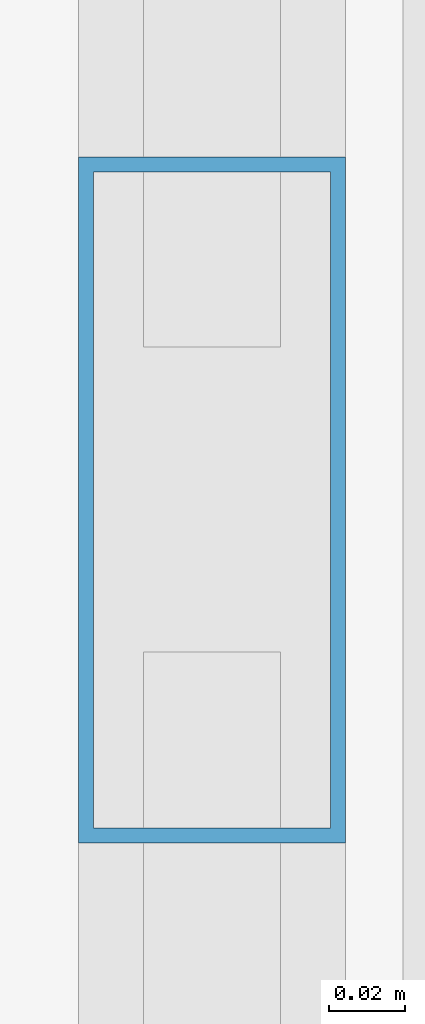
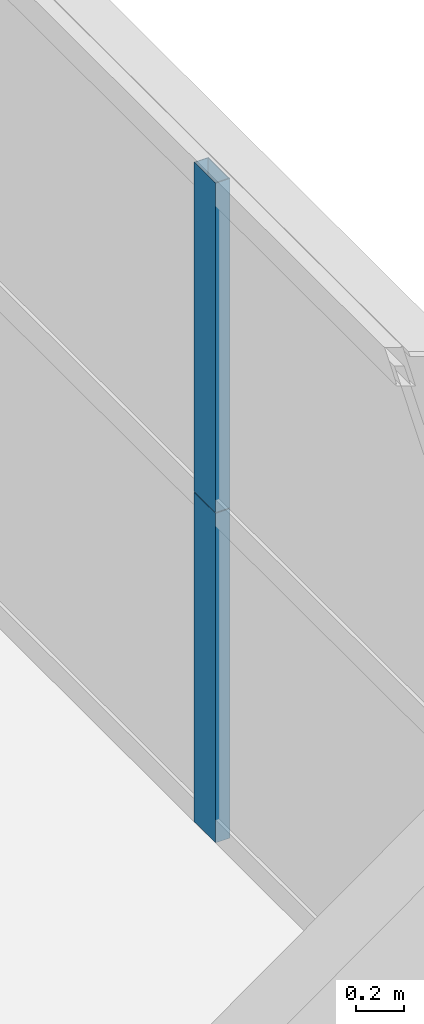
# One storey, part 31 of 43: 2 members, 1 element without a shape of its own.
"""IFC4 building model written with IfcOpenShell, lengths in metres."""

import ifcopenshell
import ifcopenshell.guid

model = None  # the IFC model being written
_history = None  # IfcOwnerHistory: only IFC2X3 demands one
_inside = {}  # id of a spatial element -> (the spatial element, [elements in it])
_under = {}  # id of a project, library or spatial element -> (it, [spatial elements below it])
_declared = {}  # id of a project -> (the project, [libraries it declares])
_typed = {}  # id of a type object -> (the type object, [elements of that type])
_made_of = {}  # id of a material, layer set ... -> (it, [elements and type objects made of it])


def new_model(schema):
    """Start an empty IFC model of exactly this schema.

    Asked for "IFC4X3", IfcOpenShell would pick the latest addendum, in which some entities
    have other attributes; the version numbers below select the first issue.
    IFC2X3 requires an IfcOwnerHistory on every rooted entity: one is made here for all.
    """
    global model, _history
    if schema == "IFC4X3":
        model = ifcopenshell.file(schema_version=(4, 3, 0, 0))
    else:
        model = ifcopenshell.file(schema=schema)
    _inside.clear()
    _under.clear()
    _declared.clear()
    _typed.clear()
    _made_of.clear()
    _history = None
    if model.schema == "IFC2X3":
        org = make("IfcOrganization", Name="unknown")
        user = make(
            "IfcPersonAndOrganization",
            ThePerson=make("IfcPerson", FamilyName="unknown"),
            TheOrganization=org,
        )
        app = make(
            "IfcApplication",
            ApplicationDeveloper=org,
            Version="unknown",
            ApplicationFullName="unknown",
            ApplicationIdentifier="unknown",
        )
        _history = make(
            "IfcOwnerHistory",
            OwningUser=user,
            OwningApplication=app,
            ChangeAction="ADDED",
            CreationDate=0,
        )
    return model


def make(cls, **values):
    """One entity of the class cls with the attributes given. An attribute that is None is left unset."""
    return model.create_entity(
        cls, **{name: value for name, value in values.items() if value is not None}
    )


def rooted(cls, **values):
    """An entity with a GlobalId (a new one), such as an element, a storey or a relation."""
    return make(cls, GlobalId=ifcopenshell.guid.new(), OwnerHistory=_history, **values)


def si_unit(unit_type, name, prefix=None):
    """IfcSIUnit, for example si_unit("LENGTHUNIT", "METRE", prefix="MILLI")."""
    return make("IfcSIUnit", UnitType=unit_type, Prefix=prefix, Name=name)


def assignment(units):
    """IfcUnitAssignment: the units of a project."""
    return None if units is None else make("IfcUnitAssignment", Units=units)


def point(xyz):
    """IfcCartesianPoint."""
    return None if xyz is None else make("IfcCartesianPoint", Coordinates=xyz)


def direction(xyz):
    """IfcDirection."""
    return None if xyz is None else make("IfcDirection", DirectionRatios=xyz)


def frame(location, z_axis=None, x_axis=None):
    """IfcAxis2Placement3D, a coordinate frame: its origin and axes. An axis left out is left unset."""
    return make(
        "IfcAxis2Placement3D",
        Location=point(location),
        Axis=direction(z_axis),
        RefDirection=direction(x_axis),
    )


def frame_2d(location, x_axis=None):
    """IfcAxis2Placement2D, a coordinate frame in the plane: its origin and x axis."""
    return make(
        "IfcAxis2Placement2D", Location=point(location), RefDirection=direction(x_axis)
    )


def origin():
    """The frame at (0, 0, 0) with its axes left unset."""
    return frame((0.0, 0.0, 0.0))


def origin_2d():
    """The frame at (0, 0) in the plane with its x axis left unset."""
    return frame_2d((0.0, 0.0))


def place(relative_to, where):
    """IfcLocalPlacement: puts the frame where relative to a parent placement (None: the world)."""
    return make(
        "IfcLocalPlacement", PlacementRelTo=relative_to, RelativePlacement=where
    )


def context(
    kind, dimensions, precision=None, world=None, true_north=None, identifier=None
):
    """IfcGeometricRepresentationContext, for example the 3D "Model" context."""
    return make(
        "IfcGeometricRepresentationContext",
        ContextIdentifier=identifier,
        ContextType=kind,
        CoordinateSpaceDimension=dimensions,
        Precision=precision,
        WorldCoordinateSystem=world,
        TrueNorth=true_north,
    )


def subcontext(parent, identifier, kind, view, scale=None):
    """IfcGeometricRepresentationSubContext, for example "Body" below "Model"."""
    return make(
        "IfcGeometricRepresentationSubContext",
        ContextIdentifier=identifier,
        ContextType=kind,
        ParentContext=parent,
        TargetScale=scale,
        TargetView=view,
    )


def project(units=None, contexts=None):
    """IfcProject with its units and contexts."""
    return rooted(
        "IfcProject",
        Name="project",
        RepresentationContexts=contexts,
        UnitsInContext=assignment(units),
    )


def spatial(cls, under=None, at=None, **own):
    """A site, building, storey or space (cls), placed at a placement, below another one or the project."""
    s = rooted(cls, ObjectPlacement=at, **own)
    if under is not None:
        _under.setdefault(under.id(), (under, []))[1].append(s)
    return s


def profile(cls, at=None, kind="AREA", **sizes):
    """A parametric profile (cls). Its sizes go by their IFC names, for example OverallWidth=200.0."""
    return make(cls, ProfileType=kind, Position=at, **sizes)


def hollow_rectangle(**sizes):
    """IfcRectangleHollowProfileDef."""
    return profile("IfcRectangleHollowProfileDef", **sizes)


def extrude(swept, where, along, depth):
    """IfcExtrudedAreaSolid: the profile swept, set in the frame where, extruded along a direction by depth."""
    return make(
        "IfcExtrudedAreaSolid",
        SweptArea=swept,
        Position=where,
        ExtrudedDirection=direction(along),
        Depth=depth,
    )


def shape(context_of_items, identifier, shape_type, items):
    """IfcShapeRepresentation: the items that make up one representation, for example the "Body"."""
    return make(
        "IfcShapeRepresentation",
        ContextOfItems=context_of_items,
        RepresentationIdentifier=identifier,
        RepresentationType=shape_type,
        Items=items,
    )


def source(mapping_origin, context_of_items, identifier, shape_type, items):
    """IfcRepresentationMap: a shape defined once, which mapped items show again and again."""
    return make(
        "IfcRepresentationMap",
        MappingOrigin=mapping_origin,
        MappedRepresentation=shape(context_of_items, identifier, shape_type, items),
    )


def transform(
    local_origin,
    x_axis=None,
    y_axis=None,
    z_axis=None,
    scale=None,
    scale2=None,
    scale3=None,
    uniform=True,
):
    """IfcCartesianTransformationOperator3D, or its non-uniform kind. x_axis, y_axis, z_axis: its Axis1, 2, 3."""
    if uniform:
        return make(
            "IfcCartesianTransformationOperator3D",
            Axis1=direction(x_axis),
            Axis2=direction(y_axis),
            LocalOrigin=point(local_origin),
            Scale=scale,
            Axis3=direction(z_axis),
        )
    return make(
        "IfcCartesianTransformationOperator3DnonUniform",
        Axis1=direction(x_axis),
        Axis2=direction(y_axis),
        LocalOrigin=point(local_origin),
        Scale=scale,
        Axis3=direction(z_axis),
        Scale2=scale2,
        Scale3=scale3,
    )


def mapped(mapping_source, mapping_target):
    """IfcMappedItem: shows the shape of a source again, moved by a transform."""
    return make(
        "IfcMappedItem", MappingSource=mapping_source, MappingTarget=mapping_target
    )


def material(Name=None, Category=None):
    """IfcMaterial."""
    return make("IfcMaterial", Name=Name, Category=Category)


def layer(
    of_material, thickness, ventilated=None, Name=None, Category=None, Priority=None
):
    """IfcMaterialLayer: one layer of a wall or slab, of a material (None: an air gap)."""
    return make(
        "IfcMaterialLayer",
        Material=of_material,
        LayerThickness=thickness,
        IsVentilated=ventilated,
        Name=Name,
        Category=Category,
        Priority=Priority,
    )


def layer_set(layers, Name=None):
    """IfcMaterialLayerSet."""
    return make("IfcMaterialLayerSet", MaterialLayers=layers, LayerSetName=Name)


def material_profile(
    of_material, cross_section, Name=None, Category=None, Priority=None
):
    """IfcMaterialProfile: a cross section and its material."""
    return make(
        "IfcMaterialProfile",
        Name=Name,
        Material=of_material,
        Profile=cross_section,
        Priority=Priority,
        Category=Category,
    )


def profile_set(profiles, Name=None, composite=None):
    """IfcMaterialProfileSet."""
    return make(
        "IfcMaterialProfileSet",
        Name=Name,
        MaterialProfiles=profiles,
        CompositeProfile=composite,
    )


def made_of(thing, what):
    """Note that an element or type object is made of a material, layer set ...; save() writes the relation."""
    if what is not None:
        _made_of.setdefault(what.id(), (what, []))[1].append(thing)
    return thing


def type_object(cls, material=None, **own):
    """A type object (cls), such as IfcWallType, which elements share."""
    return made_of(rooted(cls, **own), material)


def element(
    cls,
    number,
    at=None,
    inside=None,
    cuts=None,
    type_object=None,
    material=None,
    context=None,
    identifier="Body",
    shape_type=None,
    held_by="IfcProductDefinitionShape",
    body=None,
    shapes=None,
    **own,
):
    """One element of the class cls, such as IfcWall. Its Tag is "e" and its number.

    at: its placement. inside: the storey or other place that contains it. cuts: it is an
    opening in that element (IfcRelVoidsElement). A single representation is given by context,
    identifier, shape_type and body (its items); several are given by shapes. held_by: the class
    of the entity that holds the representations. save() writes the other relations.
    """
    e = rooted(cls, Tag="e%d" % number, ObjectPlacement=at, **own)
    if body is not None:
        shapes = [shape(context, identifier, shape_type, body)]
    if shapes is not None:
        e.Representation = make(held_by, Representations=shapes)
    if inside is not None:
        _inside.setdefault(inside.id(), (inside, []))[1].append(e)
    if cuts is not None:
        rooted(
            "IfcRelVoidsElement", RelatingBuildingElement=cuts, RelatedOpeningElement=e
        )
    if type_object is not None:
        _typed.setdefault(type_object.id(), (type_object, []))[1].append(e)
    return made_of(e, material)


def aggregate(whole, parts):
    """IfcRelAggregates: a whole, such as a stair, and the parts it consists of."""
    return rooted("IfcRelAggregates", RelatingObject=whole, RelatedObjects=parts)


def save(model, path):
    """Write the relations noted so far, then the file.

    IfcRelAggregates (storeys below a building ...), IfcRelContainedInSpatialStructure (elements
    in a storey), IfcRelDefinesByType, IfcRelAssociatesMaterial and IfcRelDeclares: one each for
    every whole, place, type object, material and project.
    """
    for whole, parts in _under.values():
        aggregate(whole, parts)
    for where, things in _inside.values():
        rooted(
            "IfcRelContainedInSpatialStructure",
            RelatedElements=things,
            RelatingStructure=where,
        )
    for kind, things in _typed.values():
        rooted("IfcRelDefinesByType", RelatedObjects=things, RelatingType=kind)
    for what, things in _made_of.values():
        rooted("IfcRelAssociatesMaterial", RelatedObjects=things, RelatingMaterial=what)
    for by, libraries in _declared.values():
        rooted("IfcRelDeclares", RelatingContext=by, RelatedDefinitions=libraries)
    model.write(path)


model = new_model("IFC4")

# Units and contexts
model_context = context("Model", 3, precision=1e-05, world=origin(), true_north=direction((0.0, 1.0)))
body_context = subcontext(model_context, "Body", "Model", "MODEL_VIEW")
ifc_project = project(units=[si_unit("LENGTHUNIT", "METRE"), si_unit("AREAUNIT", "SQUARE_METRE"), si_unit("VOLUMEUNIT", "CUBIC_METRE"), si_unit("PLANEANGLEUNIT", "RADIAN"), si_unit("MASSUNIT", "GRAM", prefix="KILO"), si_unit("THERMODYNAMICTEMPERATUREUNIT", "KELVIN"), si_unit("POWERUNIT", "WATT")], contexts=[model_context])

# Site, building, storey
site_placement = place(None, origin())
site = spatial("IfcSite", under=ifc_project, at=site_placement, CompositionType="ELEMENT")
building_placement = place(site_placement, origin())
building = spatial("IfcBuilding", under=site, at=building_placement, Name="Yuzanri Waterfront Tower", CompositionType="ELEMENT")
storey_placement = place(building_placement, frame((0.0, 0.0, 71.199951171875)))
storey = spatial("IfcBuildingStorey", under=building, at=storey_placement, Name="L18", CompositionType="ELEMENT", Elevation=71.199951171875)

# Curtain wall, members
ifc_material_1 = material(Name="Anodized Architectural Bronze", Category="metal")
ifc_layer = layer(ifc_material_1, 0.159912109375)
ifc_layer_set = layer_set([ifc_layer], Name="Anodized Architectural Bronze")
curtain_wall_type = type_object("IfcCurtainWallType", Name="Anodized Bronze Hotel Lower-Tier Recessed Unitized Curtain Wall 8100", PredefinedType="NOTDEFINED", material=ifc_layer_set)
curtain_wall_placement = place(storey_placement, origin())
curtain_wall = element("IfcCurtainWall", 1, at=curtain_wall_placement, inside=storey, type_object=curtain_wall_type, Name="L18 Curtain Wall CW-L18-ER", PredefinedType="NOTDEFINED")
ifc_material_2 = material(Name="Anodized Architectural Bronze", Category="metal")
ifc_material_profile = material_profile(ifc_material_2, hollow_rectangle(XDim=0.070068359375, YDim=0.179931640625, WallThickness=0.00390625, at=origin_2d()), Name="CWM 70x180")
ifc_profile_set = profile_set([ifc_material_profile], Name="Anodized Architectural Bronze")
member_type = type_object("IfcMemberType", Name="Anodized Bronze Standard Curtain-Wall Mullion 70x180", PredefinedType="MULLION", material=ifc_profile_set)
shared_shape = source(origin(), body_context, "Body", "SweptSolid", [
    extrude(hollow_rectangle(XDim=0.070068359375, YDim=0.179931640625, WallThickness=0.00390625, at=origin_2d()), origin(), (0.0, 0.0, 1.0), 1.68798828125),
])
member_1_placement = place(storey_placement, frame((61.949951171875, 34.89990234375, 0.0), z_axis=(0.0, 0.0, 1.0), x_axis=(1.0, 0.0, 0.0)))
member_1 = element("IfcMember", 2, at=member_1_placement, type_object=member_type, Name="CW-L18-ER Lower Mullion 01", PredefinedType="MULLION", context=body_context, shape_type="MappedRepresentation", body=[
    mapped(shared_shape, transform((0.0, 0.0, 0.0), scale=1.0)),
])
member_2_placement = place(storey_placement, frame((61.949951171875, 34.89990234375, 1.692138671875), z_axis=(0.0, 0.0, 1.0), x_axis=(1.0, 0.0, 0.0)))
member_2 = element("IfcMember", 3, at=member_2_placement, type_object=member_type, Name="CW-L18-ER Upper Mullion 01", PredefinedType="MULLION", context=body_context, shape_type="MappedRepresentation", body=[
    mapped(shared_shape, transform((0.0, 0.0, 0.0), scale=1.0)),
])
aggregate(curtain_wall, [member_1, member_2])

save(model, "model.ifc")
